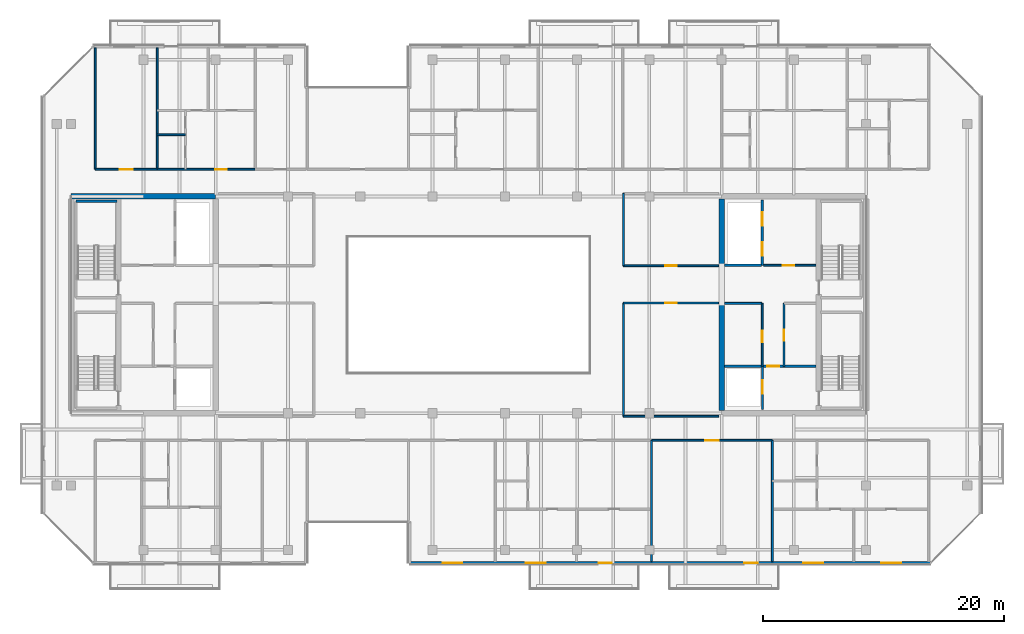
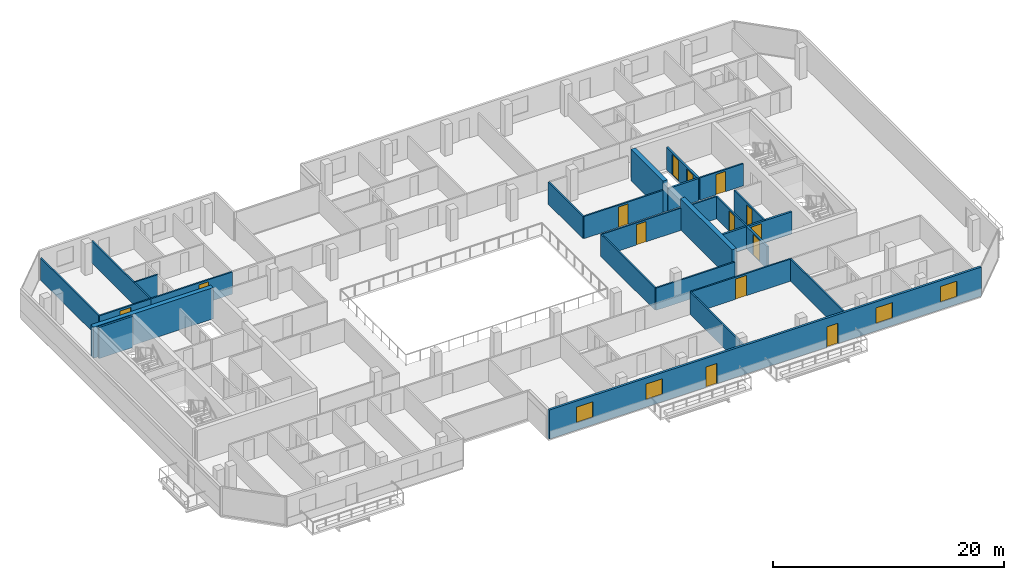
# One storey, part 20 of 28: 26 walls, 14 doors, 4 windows, 18 openings.
"""IFC4 building model written with IfcOpenShell, lengths in metres."""

from ifc_helpers import new_model, si_unit, direction, frame, frame_2d, origin, place, context, subcontext, project, spatial, rectangle, extrude, material, layer, layer_set, type_object, element, fill, save


model = new_model("IFC4")

# Units and contexts
model_context = context("Model", 3, precision=1e-05, world=origin(), true_north=direction((0.0, 1.0)))
body_context = subcontext(model_context, "Body", "Model", "MODEL_VIEW")
ifc_project = project(units=[si_unit("LENGTHUNIT", "METRE"), si_unit("AREAUNIT", "SQUARE_METRE"), si_unit("VOLUMEUNIT", "CUBIC_METRE"), si_unit("PLANEANGLEUNIT", "RADIAN"), si_unit("MASSUNIT", "GRAM", prefix="KILO")], contexts=[model_context])

# Site, building, storey
site_placement = place(None, origin())
site = spatial("IfcSite", under=ifc_project, at=site_placement, CompositionType="ELEMENT")
building_placement = place(site_placement, origin())
building = spatial("IfcBuilding", under=site, at=building_placement, Name="Tanjung Sevakor Pilgrim Tower", CompositionType="ELEMENT")
storey_placement = place(building_placement, frame((0.0, 0.0, 222.75)))
storey = spatial("IfcBuildingStorey", under=building, at=storey_placement, Name="L62", CompositionType="ELEMENT", Elevation=222.75)

# Walls
ifc_material_1 = material(Name="Concrete C60/75", Category="concrete")
ifc_layer_1 = layer(ifc_material_1, 0.449951171875)
ifc_layer_set_1 = layer_set([ifc_layer_1], Name="WALL-CW-450")
wall_type_1 = type_object("IfcWallType", Name="WALL-CW-450", PredefinedType="SHEAR", material=ifc_layer_set_1)
wall_1_placement = place(storey_placement, frame((36.0, 42.60009765625, 0.0), z_axis=(0.0, 0.0, 1.0), x_axis=(-1.0, 0.0, 0.0)))
element("IfcWall", 1, at=wall_1_placement, inside=storey, type_object=wall_type_1, Name="L62 W Core North Shear Wall", PredefinedType="SHEAR", context=body_context, shape_type="SweptSolid", body=[
    extrude(rectangle(XDim=12.0, YDim=0.449951171875, at=frame_2d((6.0, 0.0))), origin(), (0.0, 0.0, 1.0), 3.300048828125),
])
wall_2_placement = place(storey_placement, frame((78.0, 24.824951171875, 0.0), z_axis=(0.0, 0.0, 1.0), x_axis=(0.0, 1.0, 0.0)))
element("IfcWall", 2, at=wall_2_placement, inside=storey, type_object=wall_type_1, Name="L62 E Core Inner Shear Wall South", PredefinedType="SHEAR", context=body_context, shape_type="SweptSolid", body=[
    extrude(rectangle(XDim=8.97509765625, YDim=0.449951171875, at=frame_2d((4.487548828125, 0.0))), origin(), (0.0, 0.0, 1.0), 3.300048828125),
])
wall_3_placement = place(storey_placement, frame((78.0, 36.800048828125, 0.0), z_axis=(0.0, 0.0, 1.0), x_axis=(0.0, 1.0, 0.0)))
element("IfcWall", 3, at=wall_3_placement, inside=storey, type_object=wall_type_1, Name="L62 E Core Inner Shear Wall North", PredefinedType="SHEAR", context=body_context, shape_type="SweptSolid", body=[
    extrude(rectangle(XDim=5.574951171875, YDim=0.449951171875, at=frame_2d((2.78759765625, 0.0))), origin(), (0.0, 0.0, 1.0), 3.300048828125),
])

# Wall, opening, door
ifc_material_2 = material(Name="Concrete C40/50", Category="concrete")
ifc_layer_2 = layer(ifc_material_2, 0.14990234375)
ifc_layer_set_2 = layer_set([ifc_layer_2], Name="WT-COMP-150")
wall_type_2 = type_object("IfcWallType", Name="WT-COMP-150", PredefinedType="SOLIDWALL", material=ifc_layer_set_2)
wall_4_placement = place(storey_placement, frame((83.179931640625, 28.5, 0.0), z_axis=(0.0, 0.0, 1.0), x_axis=(0.0, 1.0, 0.0)))
wall_4 = element("IfcWall", 4, at=wall_4_placement, inside=storey, type_object=wall_type_2, Name="L62 Partition IW-L62-013", PredefinedType="SOLIDWALL", context=body_context, shape_type="SweptSolid", body=[
    extrude(rectangle(XDim=5.219970703125, YDim=0.14990234375, at=frame_2d((2.60986328125, 0.0))), origin(), (0.0, 0.0, 1.0), 2.35009765625),
])
opening_1_placement = place(wall_4_placement, frame((2.10009765625, 0.0, 0.0)))
opening_1 = element("IfcOpeningElement", 5, at=opening_1_placement, cuts=wall_4, Name="Opening ID-FD2", PredefinedType="OPENING", context=body_context, shape_type="SweptSolid", body=[
    extrude(rectangle(XDim=0.949951171875, YDim=2.14990234375, at=frame_2d((0.47509765625, 1.074951171875))), frame((0.0, 0.0849609375, 0.0), z_axis=(0.0, -1.0, 0.0), x_axis=(1.0, 0.0, 0.0)), (0.0, 0.0, 1.0), 0.169921875),
])
ifc_material_3 = material(Name="Fire-Rated Timber", Category="wood")
door_type_1 = type_object("IfcDoorType", Name="DT-FIRE-950", OperationType="NOTDEFINED", PredefinedType="DOOR", material=ifc_material_3)
door_1_placement = place(opening_1_placement, origin())
door_1 = element("IfcDoor", 6, at=door_1_placement, inside=storey, type_object=door_type_1, Name="L62 Housekeeping Pantry Door", OperationType="SINGLE_SWING_LEFT", OverallHeight=2.14990234375, OverallWidth=0.949951171875, PredefinedType="DOOR", context=body_context, shape_type="SweptSolid", body=[
    extrude(rectangle(XDim=0.949951171875, YDim=2.14990234375, at=frame_2d((0.47509765625, 1.074951171875))), frame((0.0, 0.02490234375, 0.0), z_axis=(0.0, -1.0, 0.0), x_axis=(1.0, 0.0, 0.0)), (0.0, 0.0, 1.0), 0.050048828125),
])
fill(opening_1, door_1)

# Wall
wall_5_placement = place(storey_placement, frame((78.2451171875, 33.719970703125, 0.0), z_axis=(0.0, 0.0, 1.0), x_axis=(1.0, 0.0, 0.0)))
element("IfcWall", 7, at=wall_5_placement, inside=storey, type_object=wall_type_2, Name="L62 Partition IW-L62-014", PredefinedType="SOLIDWALL", context=body_context, shape_type="SweptSolid", body=[
    extrude(rectangle(XDim=3.074951171875, YDim=0.14990234375, at=frame_2d((1.53759765625, 0.0))), origin(), (0.0, 0.0, 1.0), 2.35009765625),
])

# Wall, opening, door
wall_6_placement = place(storey_placement, frame((81.3798828125, 28.5, 0.0), z_axis=(0.0, 0.0, 1.0), x_axis=(0.0, 1.0, 0.0)))
wall_6 = element("IfcWall", 8, at=wall_6_placement, inside=storey, type_object=wall_type_2, Name="L62 Partition IW-L62-015", PredefinedType="SOLIDWALL", context=body_context, shape_type="SweptSolid", body=[
    extrude(rectangle(XDim=5.219970703125, YDim=0.14990234375, at=frame_2d((2.60986328125, 0.0))), origin(), (0.0, 0.0, 1.0), 2.35009765625),
])
opening_2_placement = place(wall_6_placement, frame((2.0, 0.0, 0.0)))
opening_2 = element("IfcOpeningElement", 9, at=opening_2_placement, cuts=wall_6, Name="Opening ID-FD2", PredefinedType="OPENING", context=body_context, shape_type="SweptSolid", body=[
    extrude(rectangle(XDim=0.949951171875, YDim=2.14990234375, at=frame_2d((0.47509765625, 1.074951171875))), frame((0.0, 0.0849609375, 0.0), z_axis=(0.0, -1.0, 0.0), x_axis=(1.0, 0.0, 0.0)), (0.0, 0.0, 1.0), 0.169921875),
])
door_2_placement = place(opening_2_placement, origin())
door_2 = element("IfcDoor", 10, at=door_2_placement, inside=storey, type_object=door_type_1, Name="L62 Accessible WC Door", OperationType="SINGLE_SWING_RIGHT", OverallHeight=2.14990234375, OverallWidth=0.949951171875, PredefinedType="DOOR", context=body_context, shape_type="SweptSolid", body=[
    extrude(rectangle(XDim=0.949951171875, YDim=2.14990234375, at=frame_2d((0.47509765625, 1.074951171875))), frame((0.0, 0.02490234375, 0.0), z_axis=(0.0, -1.0, 0.0), x_axis=(1.0, 0.0, 0.0)), (0.0, 0.0, 1.0), 0.050048828125),
])
fill(opening_2, door_2)

wall_7_placement = place(storey_placement, frame((81.5, 36.8798828125, 0.0), z_axis=(0.0, 0.0, 1.0), x_axis=(1.0, 0.0, 0.0)))
wall_7 = element("IfcWall", 11, at=wall_7_placement, inside=storey, type_object=wall_type_2, Name="L62 Partition IW-L62-016", PredefinedType="SOLIDWALL", context=body_context, shape_type="SweptSolid", body=[
    extrude(rectangle(XDim=4.330078125, YDim=0.14990234375, at=frame_2d((2.1650390625, 0.0))), origin(), (0.0, 0.0, 1.0), 2.35009765625),
])
opening_3_placement = place(wall_7_placement, frame((1.60009765625, 0.0, 0.0)))
opening_3 = element("IfcOpeningElement", 12, at=opening_3_placement, cuts=wall_7, Name="Opening ID-FD2", PredefinedType="OPENING", context=body_context, shape_type="SweptSolid", body=[
    extrude(rectangle(XDim=0.949951171875, YDim=2.14990234375, at=frame_2d((0.47509765625, 1.074951171875))), frame((0.0, 0.0849609375, 0.0), z_axis=(0.0, -1.0, 0.0), x_axis=(1.0, 0.0, 0.0)), (0.0, 0.0, 1.0), 0.169921875),
])
door_3_placement = place(opening_3_placement, origin())
door_3 = element("IfcDoor", 13, at=door_3_placement, inside=storey, type_object=door_type_1, Name="L62 Core Prayer Room Door", OperationType="SINGLE_SWING_LEFT", OverallHeight=2.14990234375, OverallWidth=0.949951171875, PredefinedType="DOOR", context=body_context, shape_type="SweptSolid", body=[
    extrude(rectangle(XDim=0.949951171875, YDim=2.14990234375, at=frame_2d((0.47509765625, 1.074951171875))), frame((0.0, 0.02490234375, 0.0), z_axis=(0.0, -1.0, 0.0), x_axis=(1.0, 0.0, 0.0)), (0.0, 0.0, 1.0), 0.050048828125),
])
fill(opening_3, door_3)

# Wall
wall_8_placement = place(storey_placement, frame((69.85009765625, 24.35009765625, 0.0), z_axis=(0.0, 0.0, 1.0), x_axis=(1.0, 0.0, 0.0)))
element("IfcWall", 14, at=wall_8_placement, inside=storey, type_object=wall_type_2, Name="L62 Partition IW-L62-025", PredefinedType="SOLIDWALL", context=body_context, shape_type="SweptSolid", body=[
    extrude(rectangle(XDim=7.90478515625, YDim=0.14990234375, at=frame_2d((3.952392578125, 0.0))), origin(), (0.0, 0.0, 1.0), 2.35009765625),
])

# Wall, opening, door
wall_9_placement = place(storey_placement, frame((69.85009765625, 33.75, 0.0), z_axis=(0.0, 0.0, 1.0), x_axis=(1.0, 0.0, 0.0)))
wall_9 = element("IfcWall", 15, at=wall_9_placement, inside=storey, type_object=wall_type_2, Name="L62 Partition IW-L62-026", PredefinedType="SOLIDWALL", context=body_context, shape_type="SweptSolid", body=[
    extrude(rectangle(XDim=7.90478515625, YDim=0.14990234375, at=frame_2d((3.952392578125, 0.0))), origin(), (0.0, 0.0, 1.0), 2.35009765625),
])
opening_4_placement = place(wall_9_placement, frame((3.4775390625, 0.0, 0.0)))
opening_4 = element("IfcOpeningElement", 16, at=opening_4_placement, cuts=wall_9, Name="Opening ID-RM1", PredefinedType="OPENING", context=body_context, shape_type="SweptSolid", body=[
    extrude(rectangle(XDim=0.949951171875, YDim=2.14990234375, at=frame_2d((0.47509765625, 1.074951171875))), frame((0.0, 0.0849609375, 0.0), z_axis=(0.0, -1.0, 0.0), x_axis=(1.0, 0.0, 0.0)), (0.0, 0.0, 1.0), 0.169921875),
])
ifc_material_4 = material(Name="Hardwood Timber", Category="wood")
door_type_2 = type_object("IfcDoorType", Name="DT-INT-950", OperationType="NOTDEFINED", PredefinedType="DOOR", material=ifc_material_4)
door_4_placement = place(opening_4_placement, origin())
door_4 = element("IfcDoor", 17, at=door_4_placement, inside=storey, type_object=door_type_2, Name="L62 East Inboard South Door", OperationType="SINGLE_SWING_RIGHT", OverallHeight=2.14990234375, OverallWidth=0.949951171875, PredefinedType="DOOR", context=body_context, shape_type="SweptSolid", body=[
    extrude(rectangle(XDim=0.949951171875, YDim=2.14990234375, at=frame_2d((0.47509765625, 1.074951171875))), frame((0.0, 0.02490234375, 0.0), z_axis=(0.0, -1.0, 0.0), x_axis=(1.0, 0.0, 0.0)), (0.0, 0.0, 1.0), 0.050048828125),
])
fill(opening_4, door_4)

# Wall
wall_10_placement = place(storey_placement, frame((69.85009765625, 24.35009765625, 0.0), z_axis=(0.0, 0.0, 1.0), x_axis=(0.0, 1.0, 0.0)))
element("IfcWall", 18, at=wall_10_placement, inside=storey, type_object=wall_type_2, Name="L62 Partition IW-L62-027", PredefinedType="SOLIDWALL", context=body_context, shape_type="SweptSolid", body=[
    extrude(rectangle(XDim=9.39990234375, YDim=0.14990234375, at=frame_2d((4.699951171875, 0.0))), origin(), (0.0, 0.0, 1.0), 2.35009765625),
])

# Wall, opening, door
wall_11_placement = place(storey_placement, frame((69.85009765625, 36.85009765625, 0.0), z_axis=(0.0, 0.0, 1.0), x_axis=(1.0, 0.0, 0.0)))
wall_11 = element("IfcWall", 19, at=wall_11_placement, inside=storey, type_object=wall_type_2, Name="L62 Partition IW-L62-028", PredefinedType="SOLIDWALL", context=body_context, shape_type="SweptSolid", body=[
    extrude(rectangle(XDim=7.90478515625, YDim=0.14990234375, at=frame_2d((3.952392578125, 0.0))), origin(), (0.0, 0.0, 1.0), 2.35009765625),
])
opening_5_placement = place(wall_11_placement, frame((3.4775390625, 0.0, 0.0)))
opening_5 = element("IfcOpeningElement", 20, at=opening_5_placement, cuts=wall_11, Name="Opening ID-RM1", PredefinedType="OPENING", context=body_context, shape_type="SweptSolid", body=[
    extrude(rectangle(XDim=0.949951171875, YDim=2.14990234375, at=frame_2d((0.47509765625, 1.074951171875))), frame((0.0, 0.0849609375, 0.0), z_axis=(0.0, -1.0, 0.0), x_axis=(1.0, 0.0, 0.0)), (0.0, 0.0, 1.0), 0.169921875),
])
door_5_placement = place(opening_5_placement, origin())
door_5 = element("IfcDoor", 21, at=door_5_placement, inside=storey, type_object=door_type_2, Name="L62 East Inboard North Door", OperationType="SINGLE_SWING_LEFT", OverallHeight=2.14990234375, OverallWidth=0.949951171875, PredefinedType="DOOR", context=body_context, shape_type="SweptSolid", body=[
    extrude(rectangle(XDim=0.949951171875, YDim=2.14990234375, at=frame_2d((0.47509765625, 1.074951171875))), frame((0.0, 0.02490234375, 0.0), z_axis=(0.0, -1.0, 0.0), x_axis=(1.0, 0.0, 0.0)), (0.0, 0.0, 1.0), 0.050048828125),
])
fill(opening_5, door_5)

# Walls
wall_12_placement = place(storey_placement, frame((69.85009765625, 36.85009765625, 0.0), z_axis=(0.0, 0.0, 1.0), x_axis=(0.0, 1.0, 0.0)))
element("IfcWall", 22, at=wall_12_placement, inside=storey, type_object=wall_type_2, Name="L62 Partition IW-L62-030", PredefinedType="SOLIDWALL", context=body_context, shape_type="SweptSolid", body=[
    extrude(rectangle(XDim=6.0, YDim=0.14990234375, at=frame_2d((3.0, 0.0))), origin(), (0.0, 0.0, 1.0), 2.35009765625),
])
for number, where, z_axis, x_axis, name in (
    (23, (72.1845703125, 12.27001953125, 0.0), (0.0, 0.0, 1.0), (0.0, 1.0, 0.0), "L62 Partition IW-L62-051"),
    (24, (82.216796875, 12.27001953125, 0.0), (0.0, 0.0, 1.0), (0.0, 1.0, 0.0), "L62 Partition IW-L62-057"),
):
    element("IfcWall", number, at=place(storey_placement, frame(where, z_axis=z_axis, x_axis=x_axis)), inside=storey, type_object=wall_type_2, Name=name, PredefinedType="SOLIDWALL", context=body_context, shape_type="SweptSolid", body=[
        extrude(rectangle(XDim=10.080078125, YDim=0.14990234375, at=frame_2d((5.0400390625, 0.0))), origin(), (0.0, 0.0, 1.0), 2.35009765625),
    ])

# Wall, opening, door
wall_13_placement = place(storey_placement, frame((72.1845703125, 22.35009765625, 0.0), z_axis=(0.0, 0.0, 1.0), x_axis=(1.0, 0.0, 0.0)))
wall_13 = element("IfcWall", 25, at=wall_13_placement, inside=storey, type_object=wall_type_2, Name="L62 Partition IW-L62-058", PredefinedType="SOLIDWALL", context=body_context, shape_type="SweptSolid", body=[
    extrude(rectangle(XDim=10.0322265625, YDim=0.14990234375, at=frame_2d((5.01611328125, 0.0))), origin(), (0.0, 0.0, 1.0), 2.35009765625),
])
opening_6_placement = place(wall_13_placement, frame((4.466064453125, 0.0, 0.0)))
opening_6 = element("IfcOpeningElement", 26, at=opening_6_placement, cuts=wall_13, Name="Opening ID-FD0", PredefinedType="OPENING", context=body_context, shape_type="SweptSolid", body=[
    extrude(rectangle(XDim=1.10009765625, YDim=2.14990234375, at=frame_2d((0.550048828125, 1.074951171875))), frame((0.0, 0.0849609375, 0.0), z_axis=(0.0, -1.0, 0.0), x_axis=(1.0, 0.0, 0.0)), (0.0, 0.0, 1.0), 0.169921875),
])
ifc_material_5 = material(Name="Fire-Rated Steel S355J2", Category="steel")
door_type_3 = type_object("IfcDoorType", Name="DT-FIRE-1100", OperationType="NOTDEFINED", PredefinedType="DOOR", material=ifc_material_5)
door_6_placement = place(opening_6_placement, origin())
door_6 = element("IfcDoor", 27, at=door_6_placement, inside=storey, type_object=door_type_3, Name="Communal Lounge Door", OperationType="SINGLE_SWING_LEFT", OverallHeight=2.14990234375, OverallWidth=1.10009765625, PredefinedType="DOOR", context=body_context, shape_type="SweptSolid", body=[
    extrude(rectangle(XDim=1.10009765625, YDim=2.14990234375, at=frame_2d((0.550048828125, 1.074951171875))), frame((0.0, 0.02490234375, 0.0), z_axis=(0.0, -1.0, 0.0), x_axis=(1.0, 0.0, 0.0)), (0.0, 0.0, 1.0), 0.050048828125),
])
fill(opening_6, door_6)

# Walls
for number, where, z_axis, x_axis, name in (
    (28, (26.0, 44.85009765625, 0.0), (0.0, 0.0, 1.0), (0.0, 1.0, 0.0), "L62 Partition IW-L62-064"),
    (29, (31.138916015625, 44.85009765625, 0.0), (0.0, 0.0, 1.0), (0.0, 1.0, 0.0), "L62 Partition IW-L62-065"),
):
    element("IfcWall", number, at=place(storey_placement, frame(where, z_axis=z_axis, x_axis=x_axis)), inside=storey, type_object=wall_type_2, Name=name, PredefinedType="SOLIDWALL", context=body_context, shape_type="SweptSolid", body=[
        extrude(rectangle(XDim=10.079833984375, YDim=0.14990234375, at=frame_2d((5.0400390625, 0.0))), origin(), (0.0, 0.0, 1.0), 2.35009765625),
    ])

# Wall, opening, door
wall_14_placement = place(storey_placement, frame((26.0, 44.85009765625, 0.0), z_axis=(0.0, 0.0, 1.0), x_axis=(1.0, 0.0, 0.0)))
wall_14 = element("IfcWall", 30, at=wall_14_placement, inside=storey, type_object=wall_type_2, Name="L62 Partition IW-L62-066", PredefinedType="SOLIDWALL", context=body_context, shape_type="SweptSolid", body=[
    extrude(rectangle(XDim=5.138916015625, YDim=0.14990234375, at=frame_2d((2.5693359375, 0.0))), origin(), (0.0, 0.0, 1.0), 2.35009765625),
])
opening_7_placement = place(wall_14_placement, frame((2.019287109375, 0.0, 0.0)))
opening_7 = element("IfcOpeningElement", 31, at=opening_7_placement, cuts=wall_14, Name="Opening ID-FD0", PredefinedType="OPENING", context=body_context, shape_type="SweptSolid", body=[
    extrude(rectangle(XDim=1.10009765625, YDim=2.14990234375, at=frame_2d((0.550048828125, 1.074951171875))), frame((0.0, 0.0849609375, 0.0), z_axis=(0.0, -1.0, 0.0), x_axis=(1.0, 0.0, 0.0)), (0.0, 0.0, 1.0), 0.169921875),
])
door_7_placement = place(opening_7_placement, origin())
door_7 = element("IfcDoor", 32, at=door_7_placement, inside=storey, type_object=door_type_3, Name="Seminar Room Door", OperationType="SINGLE_SWING_LEFT", OverallHeight=2.14990234375, OverallWidth=1.10009765625, PredefinedType="DOOR", context=body_context, shape_type="SweptSolid", body=[
    extrude(rectangle(XDim=1.10009765625, YDim=2.14990234375, at=frame_2d((0.550048828125, 1.074951171875))), frame((0.0, 0.02490234375, 0.0), z_axis=(0.0, -1.0, 0.0), x_axis=(1.0, 0.0, 0.0)), (0.0, 0.0, 1.0), 0.050048828125),
])
fill(opening_7, door_7)

wall_15_placement = place(storey_placement, frame((31.138916015625, 44.85009765625, 0.0), z_axis=(0.0, 0.0, 1.0), x_axis=(1.0, 0.0, 0.0)))
wall_15 = element("IfcWall", 33, at=wall_15_placement, inside=storey, type_object=wall_type_2, Name="L62 Partition IW-L62-072", PredefinedType="SOLIDWALL", context=body_context, shape_type="SweptSolid", body=[
    extrude(rectangle(XDim=8.136474609375, YDim=0.14990234375, at=frame_2d((4.068359375, 0.0))), origin(), (0.0, 0.0, 1.0), 2.35009765625),
])
opening_8_placement = place(wall_15_placement, frame((4.808349609375, 0.0, 0.0)))
opening_8 = element("IfcOpeningElement", 34, at=opening_8_placement, cuts=wall_15, Name="Opening ID-FD2", PredefinedType="OPENING", context=body_context, shape_type="SweptSolid", body=[
    extrude(rectangle(XDim=0.949951171875, YDim=2.14990234375, at=frame_2d((0.47509765625, 1.074951171875))), frame((0.0, 0.0849609375, 0.0), z_axis=(0.0, -1.0, 0.0), x_axis=(1.0, 0.0, 0.0)), (0.0, 0.0, 1.0), 0.169921875),
])
door_8_placement = place(opening_8_placement, origin())
door_8 = element("IfcDoor", 35, at=door_8_placement, inside=storey, type_object=door_type_1, Name="Suite Entrance", OperationType="SINGLE_SWING_RIGHT", OverallHeight=2.14990234375, OverallWidth=0.949951171875, PredefinedType="DOOR", context=body_context, shape_type="SweptSolid", body=[
    extrude(rectangle(XDim=0.949951171875, YDim=2.14990234375, at=frame_2d((0.47509765625, 1.074951171875))), frame((0.0, 0.02490234375, 0.0), z_axis=(0.0, -1.0, 0.0), x_axis=(1.0, 0.0, 0.0)), (0.0, 0.0, 1.0), 0.050048828125),
])
fill(opening_8, door_8)

# Wall, openings, doors, windows
ifc_material_6 = material(Name="Precast concrete C45/55", Category="concrete")
ifc_layer_3 = layer(ifc_material_6, 0.219970703125)
ifc_layer_set_3 = layer_set([ifc_layer_3], Name="WT-EW-STN4")
wall_type_3 = type_object("IfcWallType", Name="WT-EW-STN4", PredefinedType="SOLIDWALL", material=ifc_layer_set_3)
wall_16_placement = place(storey_placement, frame((52.110107421875, 12.159912109375, 0.0), z_axis=(0.0, 0.0, 1.0), x_axis=(1.0, 0.0, 0.0)))
wall_16 = element("IfcWall", 36, at=wall_16_placement, inside=storey, type_object=wall_type_3, Name="L62 MAIN Exterior Wall 5", PredefinedType="SOLIDWALL", context=body_context, shape_type="SweptSolid", body=[
    extrude(rectangle(XDim=43.244384765625, YDim=0.219970703125, at=frame_2d((21.6220703125, 0.0))), origin(), (0.0, 0.0, 1.0), 3.080078125),
])
opening_9_placement = place(wall_16_placement, frame((15.68994140625, 0.0, 0.0)))
opening_9 = element("IfcOpeningElement", 37, at=opening_9_placement, cuts=wall_16, Name="Opening ED-BAL-1100", PredefinedType="OPENING", context=body_context, shape_type="SweptSolid", body=[
    extrude(rectangle(XDim=1.10009765625, YDim=2.14990234375, at=frame_2d((0.550048828125, 1.074951171875))), frame((0.0, 0.119873046875, 0.0), z_axis=(0.0, -1.0, 0.0), x_axis=(1.0, 0.0, 0.0)), (0.0, 0.0, 1.0), 0.239990234375),
])
opening_10_placement = place(wall_16_placement, frame((27.7900390625, 0.0, 0.0)))
opening_10 = element("IfcOpeningElement", 38, at=opening_10_placement, cuts=wall_16, Name="Opening ED-BAL-1100", PredefinedType="OPENING", context=body_context, shape_type="SweptSolid", body=[
    extrude(rectangle(XDim=1.10009765625, YDim=2.14990234375, at=frame_2d((0.550048828125, 1.074951171875))), frame((0.0, 0.119873046875, 0.0), z_axis=(0.0, -1.0, 0.0), x_axis=(1.0, 0.0, 0.0)), (0.0, 0.0, 1.0), 0.239990234375),
])
opening_11_placement = place(wall_16_placement, frame((2.725830078125, 0.0, 0.780029296875)))
opening_11 = element("IfcOpeningElement", 39, at=opening_11_placement, cuts=wall_16, Name="Opening WN-Z4-1660", PredefinedType="OPENING", context=body_context, shape_type="SweptSolid", body=[
    extrude(rectangle(XDim=1.64990234375, YDim=1.659912109375, at=frame_2d((0.824951171875, 0.830078125))), frame((0.0, 0.119873046875, 0.0), z_axis=(0.0, -1.0, 0.0), x_axis=(1.0, 0.0, 0.0)), (0.0, 0.0, 1.0), 0.239990234375),
])
opening_12_placement = place(wall_16_placement, frame((9.652099609375, 0.0, 0.780029296875)))
opening_12 = element("IfcOpeningElement", 40, at=opening_12_placement, cuts=wall_16, Name="Opening WN-Z4-1660", PredefinedType="OPENING", context=body_context, shape_type="SweptSolid", body=[
    extrude(rectangle(XDim=1.64990234375, YDim=1.659912109375, at=frame_2d((0.824951171875, 0.830078125))), frame((0.0, 0.119873046875, 0.0), z_axis=(0.0, -1.0, 0.0), x_axis=(1.0, 0.0, 0.0)), (0.0, 0.0, 1.0), 0.239990234375),
])
opening_13_placement = place(wall_16_placement, frame((32.66748046875, 0.0, 0.780029296875)))
opening_13 = element("IfcOpeningElement", 41, at=opening_13_placement, cuts=wall_16, Name="Opening WN-Z4-1660", PredefinedType="OPENING", context=body_context, shape_type="SweptSolid", body=[
    extrude(rectangle(XDim=1.64990234375, YDim=1.659912109375, at=frame_2d((0.824951171875, 0.830078125))), frame((0.0, 0.119873046875, 0.0), z_axis=(0.0, -1.0, 0.0), x_axis=(1.0, 0.0, 0.0)), (0.0, 0.0, 1.0), 0.239990234375),
])
opening_14_placement = place(wall_16_placement, frame((39.138916015625, 0.0, 0.780029296875)))
opening_14 = element("IfcOpeningElement", 42, at=opening_14_placement, cuts=wall_16, Name="Opening WN-Z4-1660", PredefinedType="OPENING", context=body_context, shape_type="SweptSolid", body=[
    extrude(rectangle(XDim=1.64990234375, YDim=1.659912109375, at=frame_2d((0.824951171875, 0.830078125))), frame((0.0, 0.119873046875, 0.0), z_axis=(0.0, -1.0, 0.0), x_axis=(1.0, 0.0, 0.0)), (0.0, 0.0, 1.0), 0.239990234375),
])
ifc_material_7 = material(Name="Anodised Aluminium and Laminated Glass", Category="aluminium")
door_type_4 = type_object("IfcDoorType", Name="DTYP-ED-BAL-1100", OperationType="NOTDEFINED", PredefinedType="DOOR", material=ifc_material_7)
door_9_placement = place(opening_9_placement, frame((1.10009765625, 0.0, 0.0), z_axis=(0.0, 0.0, 1.0), x_axis=(-1.0, 0.0, 0.0)))
door_9 = element("IfcDoor", 43, at=door_9_placement, inside=storey, type_object=door_type_4, Name="L62 Balcony Door MAIN-S2", OperationType="SINGLE_SWING_RIGHT", OverallHeight=2.14990234375, OverallWidth=1.10009765625, PredefinedType="DOOR", context=body_context, shape_type="SweptSolid", body=[
    extrude(rectangle(XDim=1.10009765625, YDim=2.14990234375, at=frame_2d((0.550048828125, 1.074951171875))), frame((0.0, 0.02490234375, 0.0), z_axis=(0.0, -1.0, 0.0), x_axis=(1.0, 0.0, 0.0)), (0.0, 0.0, 1.0), 0.050048828125),
])
fill(opening_9, door_9)
door_10_placement = place(opening_10_placement, frame((1.10009765625, 0.0, 0.0), z_axis=(0.0, 0.0, 1.0), x_axis=(-1.0, 0.0, 0.0)))
door_10 = element("IfcDoor", 44, at=door_10_placement, inside=storey, type_object=door_type_4, Name="L62 Balcony Door MAIN-S3", OperationType="SINGLE_SWING_LEFT", OverallHeight=2.14990234375, OverallWidth=1.10009765625, PredefinedType="DOOR", context=body_context, shape_type="SweptSolid", body=[
    extrude(rectangle(XDim=1.10009765625, YDim=2.14990234375, at=frame_2d((0.550048828125, 1.074951171875))), frame((0.0, 0.02490234375, 0.0), z_axis=(0.0, -1.0, 0.0), x_axis=(1.0, 0.0, 0.0)), (0.0, 0.0, 1.0), 0.050048828125),
])
fill(opening_10, door_10)
ifc_material_8 = material(Name="Thermally Broken Aluminium and Low-E Glass", Category="aluminium")
window_type = type_object("IfcWindowType", Name="WTYP-WN-Z4-1660", PartitioningType="DOUBLE_PANEL_VERTICAL", PredefinedType="WINDOW", material=ifc_material_8)
window_1_placement = place(opening_11_placement, origin())
window_1 = element("IfcWindow", 45, at=window_1_placement, inside=storey, type_object=window_type, Name="L62 Facade Window 01", OverallHeight=1.659912109375, OverallWidth=1.64990234375, PartitioningType="SINGLE_PANEL", PredefinedType="WINDOW", context=body_context, shape_type="SweptSolid", body=[
    extrude(rectangle(XDim=1.64990234375, YDim=1.659912109375, at=frame_2d((0.824951171875, 0.830078125))), frame((0.0, 0.030029296875, 0.0), z_axis=(0.0, -1.0, 0.0), x_axis=(1.0, 0.0, 0.0)), (0.0, 0.0, 1.0), 0.06005859375),
])
fill(opening_11, window_1)
window_2_placement = place(opening_12_placement, origin())
window_2 = element("IfcWindow", 46, at=window_2_placement, inside=storey, type_object=window_type, Name="L62 Facade Window 02", OverallHeight=1.659912109375, OverallWidth=1.64990234375, PartitioningType="SINGLE_PANEL", PredefinedType="WINDOW", context=body_context, shape_type="SweptSolid", body=[
    extrude(rectangle(XDim=1.64990234375, YDim=1.659912109375, at=frame_2d((0.824951171875, 0.830078125))), frame((0.0, 0.030029296875, 0.0), z_axis=(0.0, -1.0, 0.0), x_axis=(1.0, 0.0, 0.0)), (0.0, 0.0, 1.0), 0.06005859375),
])
fill(opening_12, window_2)
window_3_placement = place(opening_13_placement, origin())
window_3 = element("IfcWindow", 47, at=window_3_placement, inside=storey, type_object=window_type, Name="L62 Facade Window 03", OverallHeight=1.659912109375, OverallWidth=1.64990234375, PartitioningType="SINGLE_PANEL", PredefinedType="WINDOW", context=body_context, shape_type="SweptSolid", body=[
    extrude(rectangle(XDim=1.64990234375, YDim=1.659912109375, at=frame_2d((0.824951171875, 0.830078125))), frame((0.0, 0.030029296875, 0.0), z_axis=(0.0, -1.0, 0.0), x_axis=(1.0, 0.0, 0.0)), (0.0, 0.0, 1.0), 0.06005859375),
])
fill(opening_13, window_3)
window_4_placement = place(opening_14_placement, origin())
window_4 = element("IfcWindow", 48, at=window_4_placement, inside=storey, type_object=window_type, Name="L62 Facade Window 04", OverallHeight=1.659912109375, OverallWidth=1.64990234375, PartitioningType="SINGLE_PANEL", PredefinedType="WINDOW", context=body_context, shape_type="SweptSolid", body=[
    extrude(rectangle(XDim=1.64990234375, YDim=1.659912109375, at=frame_2d((0.824951171875, 0.830078125))), frame((0.0, 0.030029296875, 0.0), z_axis=(0.0, -1.0, 0.0), x_axis=(1.0, 0.0, 0.0)), (0.0, 0.0, 1.0), 0.06005859375),
])
fill(opening_14, window_4)

# Wall
ifc_material_9 = material(Name="Concrete C40/50", Category="concrete")
ifc_layer_4 = layer(ifc_material_9, 0.199951171875)
ifc_layer_set_4 = layer_set([ifc_layer_4], Name="WT-FIRE-200")
wall_type_4 = type_object("IfcWallType", Name="WT-FIRE-200", PredefinedType="SOLIDWALL", material=ifc_layer_set_4)
wall_17_placement = place(storey_placement, frame((27.800048828125, 42.199951171875, 0.0), z_axis=(0.0, 0.0, 1.0), x_axis=(-1.0, 0.0, 0.0)))
element("IfcWall", 49, at=wall_17_placement, inside=storey, type_object=wall_type_4, Name="L62 TS-W2 Shaft Wall 2", PredefinedType="SOLIDWALL", context=body_context, shape_type="SweptSolid", body=[
    extrude(rectangle(XDim=3.400146484375, YDim=0.199951171875, at=frame_2d((1.7001953125, 0.0))), origin(), (0.0, 0.0, 1.0), 3.300048828125),
])

# Wall, opening, door
ifc_material_10 = material(Name="Concrete C40/50", Category="concrete")
ifc_layer_5 = layer(ifc_material_10, 0.199951171875)
ifc_layer_set_5 = layer_set([ifc_layer_5], Name="WT-FPRT-200")
wall_type_5 = type_object("IfcWallType", Name="WT-FPRT-200", PredefinedType="SOLIDWALL", material=ifc_layer_set_5)
wall_18_placement = place(storey_placement, frame((81.39990234375, 24.919921875, 0.0), z_axis=(0.0, 0.0, 1.0), x_axis=(0.0, 1.0, 0.0)))
wall_18 = element("IfcWall", 50, at=wall_18_placement, inside=storey, type_object=wall_type_5, Name="L62 Partition IW-L62-010", PredefinedType="SOLIDWALL", context=body_context, shape_type="SweptSolid", body=[
    extrude(rectangle(XDim=3.580078125, YDim=0.199951171875, at=frame_2d((1.7900390625, 0.0))), origin(), (0.0, 0.0, 1.0), 2.35009765625),
])
opening_15_placement = place(wall_18_placement, frame((1.300048828125, 0.0, 0.0)))
opening_15 = element("IfcOpeningElement", 51, at=opening_15_placement, cuts=wall_18, Name="Opening LD-1100", PredefinedType="OPENING", context=body_context, shape_type="SweptSolid", body=[
    extrude(rectangle(XDim=1.10009765625, YDim=2.199951171875, at=frame_2d((0.550048828125, 1.10009765625))), frame((0.0, 0.10986328125, 0.0), z_axis=(0.0, -1.0, 0.0), x_axis=(1.0, 0.0, 0.0)), (0.0, 0.0, 1.0), 0.219970703125),
])
ifc_material_11 = material(Name="Brushed Stainless Steel S355J2", Category="steel")
door_type_5 = type_object("IfcDoorType", Name="DT-LIFT-1100", OperationType="SLIDING_TO_LEFT", PredefinedType="DOOR", material=ifc_material_11)
door_11_placement = place(opening_15_placement, origin())
door_11 = element("IfcDoor", 52, at=door_11_placement, inside=storey, type_object=door_type_5, Name="LD-FL-E", OperationType="SLIDING_TO_LEFT", OverallHeight=2.199951171875, OverallWidth=1.10009765625, PredefinedType="DOOR", context=body_context, shape_type="SweptSolid", body=[
    extrude(rectangle(XDim=1.10009765625, YDim=2.199951171875, at=frame_2d((0.550048828125, 1.10009765625))), frame((0.0, 0.02490234375, 0.0), z_axis=(0.0, -1.0, 0.0), x_axis=(1.0, 0.0, 0.0)), (0.0, 0.0, 1.0), 0.050048828125),
])
fill(opening_15, door_11)

wall_19_placement = place(storey_placement, frame((78.2451171875, 28.5, 0.0), z_axis=(0.0, 0.0, 1.0), x_axis=(1.0, 0.0, 0.0)))
wall_19 = element("IfcWall", 53, at=wall_19_placement, inside=storey, type_object=wall_type_5, Name="L62 Partition IW-L62-011", PredefinedType="SOLIDWALL", context=body_context, shape_type="SweptSolid", body=[
    extrude(rectangle(XDim=7.5849609375, YDim=0.199951171875, at=frame_2d((3.79248046875, 0.0))), origin(), (0.0, 0.0, 1.0), 2.35009765625),
])
opening_16_placement = place(wall_19_placement, frame((3.554931640625, 0.0, 0.0)))
opening_16 = element("IfcOpeningElement", 54, at=opening_16_placement, cuts=wall_19, Name="Opening ID-FD1", PredefinedType="OPENING", context=body_context, shape_type="SweptSolid", body=[
    extrude(rectangle(XDim=1.0, YDim=2.14990234375, at=frame_2d((0.5, 1.074951171875))), frame((0.0, 0.10986328125, 0.0), z_axis=(0.0, -1.0, 0.0), x_axis=(1.0, 0.0, 0.0)), (0.0, 0.0, 1.0), 0.219970703125),
])
ifc_material_12 = material(Name="Fire-Rated Steel S355J2", Category="steel")
door_type_6 = type_object("IfcDoorType", Name="DT-FIRE-1000", OperationType="NOTDEFINED", PredefinedType="DOOR", material=ifc_material_12)
door_12_placement = place(opening_16_placement, origin())
door_12 = element("IfcDoor", 55, at=door_12_placement, inside=storey, type_object=door_type_6, Name="Fire Lobby Door E", OperationType="SINGLE_SWING_RIGHT", OverallHeight=2.14990234375, OverallWidth=1.0, PredefinedType="DOOR", context=body_context, shape_type="SweptSolid", body=[
    extrude(rectangle(XDim=1.0, YDim=2.14990234375, at=frame_2d((0.5, 1.074951171875))), frame((0.0, 0.02490234375, 0.0), z_axis=(0.0, -1.0, 0.0), x_axis=(1.0, 0.0, 0.0)), (0.0, 0.0, 1.0), 0.050048828125),
])
fill(opening_16, door_12)

# Wall
wall_20_placement = place(storey_placement, frame((78.2451171875, 36.8798828125, 0.0), z_axis=(0.0, 0.0, 1.0), x_axis=(1.0, 0.0, 0.0)))
element("IfcWall", 56, at=wall_20_placement, inside=storey, type_object=wall_type_5, Name="L62 Partition IW-L62-017", PredefinedType="SOLIDWALL", context=body_context, shape_type="SweptSolid", body=[
    extrude(rectangle(XDim=3.074951171875, YDim=0.199951171875, at=frame_2d((1.53759765625, 0.0))), origin(), (0.0, 0.0, 1.0), 2.35009765625),
])

# Wall, openings, doors
wall_21_placement = place(storey_placement, frame((81.3798828125, 36.8798828125, 0.0), z_axis=(0.0, 0.0, 1.0), x_axis=(0.0, 1.0, 0.0)))
wall_21 = element("IfcWall", 57, at=wall_21_placement, inside=storey, type_object=wall_type_5, Name="L62 Partition IW-L62-018", PredefinedType="SOLIDWALL", context=body_context, shape_type="SweptSolid", body=[
    extrude(rectangle(XDim=5.420166015625, YDim=0.199951171875, at=frame_2d((2.7099609375, 0.0))), origin(), (0.0, 0.0, 1.0), 2.35009765625),
])
opening_17_placement = place(wall_21_placement, frame((0.800048828125, 0.0, 0.0)))
opening_17 = element("IfcOpeningElement", 58, at=opening_17_placement, cuts=wall_21, Name="Opening LD-1100", PredefinedType="OPENING", context=body_context, shape_type="SweptSolid", body=[
    extrude(rectangle(XDim=1.10009765625, YDim=2.199951171875, at=frame_2d((0.550048828125, 1.10009765625))), frame((0.0, 0.10986328125, 0.0), z_axis=(0.0, -1.0, 0.0), x_axis=(1.0, 0.0, 0.0)), (0.0, 0.0, 1.0), 0.219970703125),
])
opening_18_placement = place(wall_21_placement, frame((3.300048828125, 0.0, 0.0)))
opening_18 = element("IfcOpeningElement", 59, at=opening_18_placement, cuts=wall_21, Name="Opening LD-1100", PredefinedType="OPENING", context=body_context, shape_type="SweptSolid", body=[
    extrude(rectangle(XDim=1.10009765625, YDim=2.199951171875, at=frame_2d((0.550048828125, 1.10009765625))), frame((0.0, 0.10986328125, 0.0), z_axis=(0.0, -1.0, 0.0), x_axis=(1.0, 0.0, 0.0)), (0.0, 0.0, 1.0), 0.219970703125),
])
door_13_placement = place(opening_17_placement, origin())
door_13 = element("IfcDoor", 60, at=door_13_placement, inside=storey, type_object=door_type_5, Name="LD-PLH1-E", OperationType="SLIDING_TO_LEFT", OverallHeight=2.199951171875, OverallWidth=1.10009765625, PredefinedType="DOOR", context=body_context, shape_type="SweptSolid", body=[
    extrude(rectangle(XDim=1.10009765625, YDim=2.199951171875, at=frame_2d((0.550048828125, 1.10009765625))), frame((0.0, 0.02490234375, 0.0), z_axis=(0.0, -1.0, 0.0), x_axis=(1.0, 0.0, 0.0)), (0.0, 0.0, 1.0), 0.050048828125),
])
fill(opening_17, door_13)
door_14_placement = place(opening_18_placement, origin())
door_14 = element("IfcDoor", 61, at=door_14_placement, inside=storey, type_object=door_type_5, Name="LD-PLH2-E", OperationType="SLIDING_TO_RIGHT", OverallHeight=2.199951171875, OverallWidth=1.10009765625, PredefinedType="DOOR", context=body_context, shape_type="SweptSolid", body=[
    extrude(rectangle(XDim=1.10009765625, YDim=2.199951171875, at=frame_2d((0.550048828125, 1.10009765625))), frame((0.0, 0.02490234375, 0.0), z_axis=(0.0, -1.0, 0.0), x_axis=(1.0, 0.0, 0.0)), (0.0, 0.0, 1.0), 0.050048828125),
])
fill(opening_18, door_14)

# Wall
ifc_material_13 = material(Name="Gypsum Board Partition", Category="gypsum board")
ifc_layer_6 = layer(ifc_material_13, 0.14990234375)
ifc_layer_set_6 = layer_set([ifc_layer_6], Name="WT-PART-150")
wall_type_6 = type_object("IfcWallType", Name="WT-PART-150", PredefinedType="PARTITIONING", material=ifc_layer_set_6)
wall_22_placement = place(storey_placement, frame((31.138916015625, 47.729248046875, 0.0), z_axis=(0.0, 0.0, 1.0), x_axis=(1.0, 0.0, 0.0)))
element("IfcWall", 62, at=wall_22_placement, inside=storey, type_object=wall_type_6, Name="L62 Partition IW-L62-068", PredefinedType="PARTITIONING", context=body_context, shape_type="SweptSolid", body=[
    extrude(rectangle(XDim=2.35009765625, YDim=0.14990234375, at=frame_2d((1.175048828125, 0.0))), origin(), (0.0, 0.0, 1.0), 2.35009765625),
])

save(model, "model.ifc")
